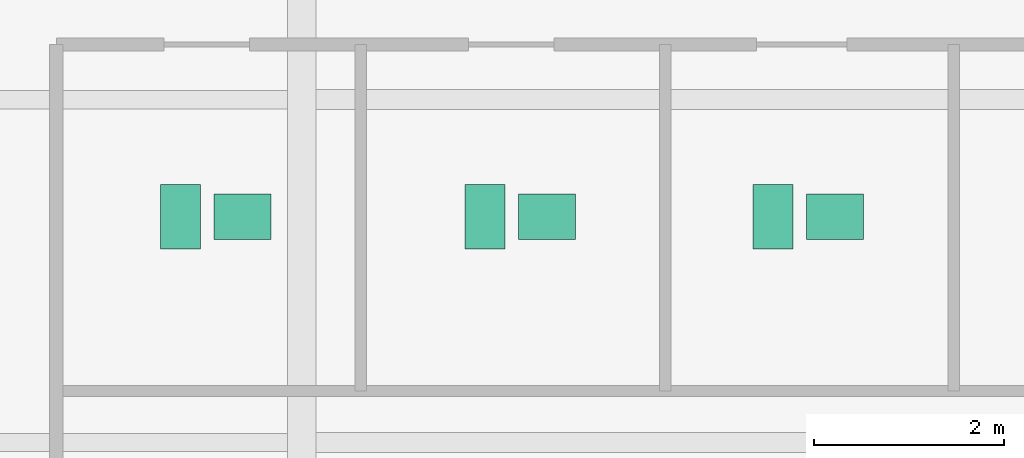
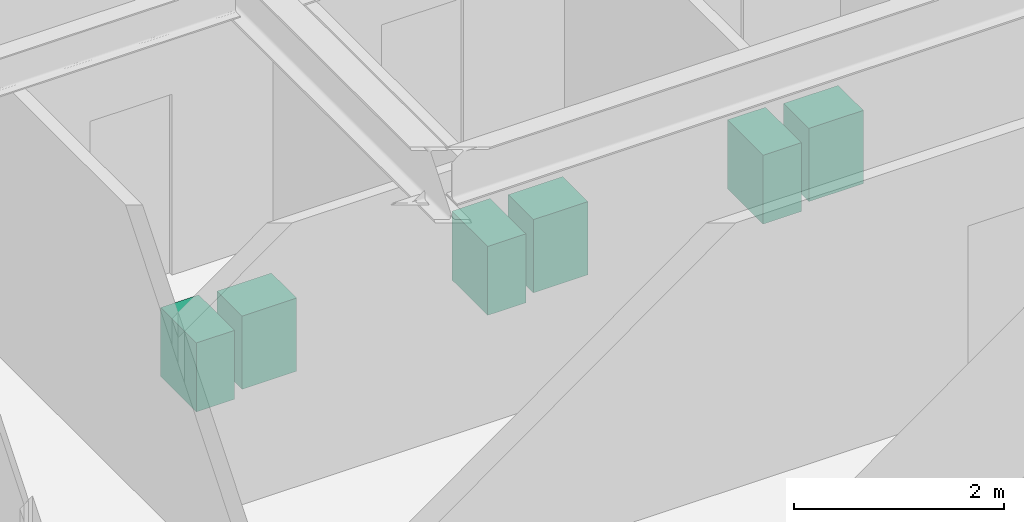
# One storey, part 29 of 29: 6 sanitary terminals.
"""IFC4 building model written with IfcOpenShell, lengths in metres."""

from ifc_helpers import new_model, si_unit, direction, frame, origin, origin_2d, place, context, subcontext, project, spatial, rectangle, extrude, source, transform, mapped, material, type_object, type_shapes, element, save


model = new_model("IFC4")

# Units and contexts
model_context = context("Model", 3, precision=1e-05, world=origin(), true_north=direction((0.0, 1.0)))
body_context = subcontext(model_context, "Body", "Model", "MODEL_VIEW")
ifc_project = project(units=[si_unit("LENGTHUNIT", "METRE"), si_unit("AREAUNIT", "SQUARE_METRE"), si_unit("VOLUMEUNIT", "CUBIC_METRE"), si_unit("PLANEANGLEUNIT", "RADIAN"), si_unit("MASSUNIT", "GRAM", prefix="KILO")], contexts=[model_context])

# Site, building, storey
site_placement = place(None, origin())
site = spatial("IfcSite", under=ifc_project, at=site_placement, CompositionType="ELEMENT")
building_placement = place(site_placement, origin())
building = spatial("IfcBuilding", under=site, at=building_placement, Name="Krantzveldt Concourse Tower", CompositionType="ELEMENT")
storey_placement = place(building_placement, frame((0.0, 0.0, 72.39990234375)))
storey = spatial("IfcBuildingStorey", under=building, at=storey_placement, Name="L17", CompositionType="ELEMENT", Elevation=72.39990234375)

# Sanitary terminals
ifc_material = material(Name="Vitreous china", Category="ceramic")
sanitary_terminal_type_1 = type_object("IfcSanitaryTerminalType", Name="SAN-WC-SUITE", PredefinedType="TOILETPAN", material=ifc_material)
shared_shape_1 = source(origin(), body_context, "Body", "SweptSolid", [
    extrude(rectangle(XDim=0.419921875, YDim=0.679931640625, at=origin_2d()), origin(), (0.0, 0.0, 1.0), 0.800048828125),
])
type_shapes(sanitary_terminal_type_1, [shared_shape_1])
for number, where, z_axis, x_axis, name in (
    (1, (29.324951171875, 32.570068359375, 0.0), (0.0, 0.0, 1.0), (1.0, 0.0, 0.0), "WC-SP-L17-WCM"),
    (2, (32.52490234375, 32.570068359375, 0.0), (0.0, 0.0, 1.0), (1.0, 0.0, 0.0), "WC-SP-L17-WCF"),
    (3, (35.550048828125, 32.570068359375, 0.0), (0.0, 0.0, 1.0), (1.0, 0.0, 0.0), "WC-SP-L17-WCA"),
):
    element("IfcSanitaryTerminal", number, at=place(storey_placement, frame(where, z_axis=z_axis, x_axis=x_axis)), inside=storey, type_object=sanitary_terminal_type_1, Name=name, PredefinedType="TOILETPAN", context=body_context, shape_type="MappedRepresentation", body=[
        mapped(shared_shape_1, transform((0.0, 0.0, 0.0), x_axis=(1.0, 0.0, 0.0), y_axis=(0.0, 1.0, 0.0), z_axis=(0.0, 0.0, 1.0), scale=1.0)),
    ])
sanitary_terminal_type_2 = type_object("IfcSanitaryTerminalType", Name="SAN-BASIN-600", PredefinedType="WASHHANDBASIN", material=ifc_material)
shared_shape_2 = source(origin(), body_context, "Body", "SweptSolid", [
    extrude(rectangle(XDim=0.60009765625, YDim=0.47998046875, at=origin_2d()), origin(), (0.0, 0.0, 1.0), 0.85009765625),
])
type_shapes(sanitary_terminal_type_2, [shared_shape_2])
for number, where, z_axis, x_axis, name in (
    (4, (29.97509765625, 32.570068359375, 0.005126953125), (0.0, 0.0, 1.0), (1.0, 0.0, 0.0), "BSN-SP-L17-WCM"),
    (5, (33.175048828125, 32.570068359375, 0.005126953125), (0.0, 0.0, 1.0), (1.0, 0.0, 0.0), "BSN-SP-L17-WCF"),
    (6, (36.199951171875, 32.570068359375, 0.005126953125), (0.0, 0.0, 1.0), (1.0, 0.0, 0.0), "BSN-SP-L17-WCA"),
):
    element("IfcSanitaryTerminal", number, at=place(storey_placement, frame(where, z_axis=z_axis, x_axis=x_axis)), inside=storey, type_object=sanitary_terminal_type_2, Name=name, PredefinedType="WASHHANDBASIN", context=body_context, shape_type="MappedRepresentation", body=[
        mapped(shared_shape_2, transform((0.0, 0.0, 0.0), x_axis=(1.0, 0.0, 0.0), y_axis=(0.0, 1.0, 0.0), z_axis=(0.0, 0.0, 1.0), scale=1.0)),
    ])

save(model, "model.ifc")
